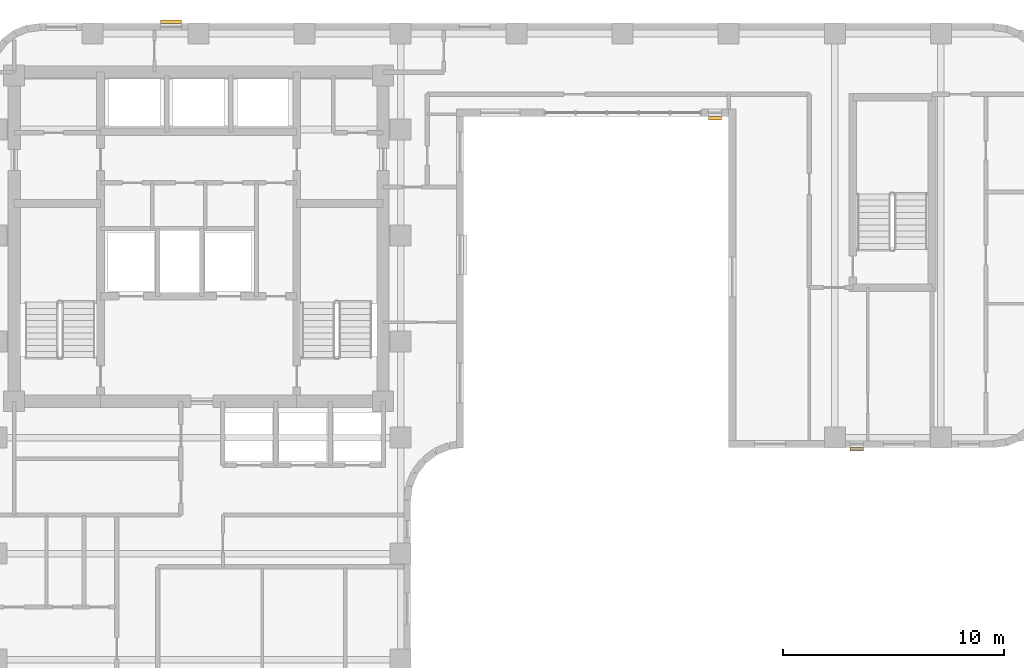
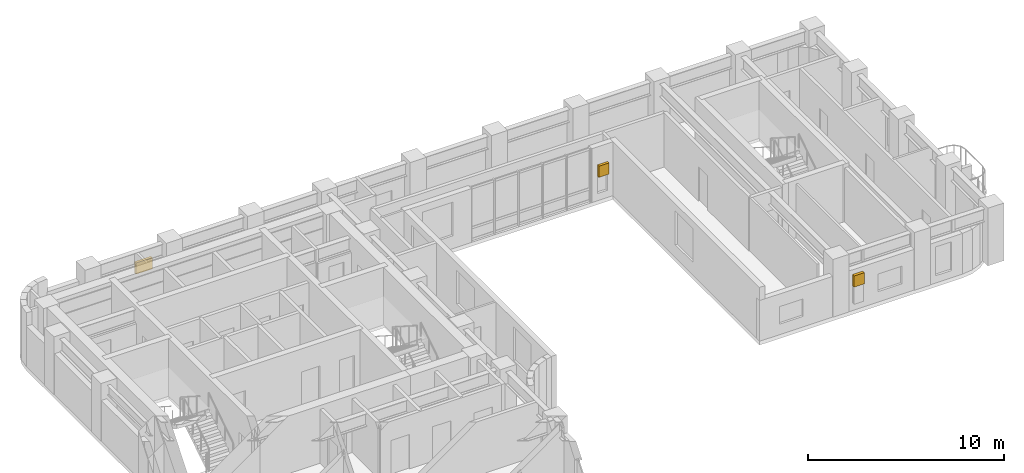
# One storey, part 11 of 11: 3 shading devices.
"""IFC4 building model written with IfcOpenShell, lengths in metres."""

from ifc_helpers import new_model, si_unit, direction, frame, origin, origin_2d, place, context, subcontext, project, spatial, rectangle, extrude, material, type_object, element, save


model = new_model("IFC4")

# Units and contexts
model_context = context("Model", 3, precision=1e-05, world=origin(), true_north=direction((0.0, 1.0)))
body_context = subcontext(model_context, "Body", "Model", "MODEL_VIEW")
ifc_project = project(units=[si_unit("LENGTHUNIT", "METRE"), si_unit("AREAUNIT", "SQUARE_METRE"), si_unit("VOLUMEUNIT", "CUBIC_METRE"), si_unit("PLANEANGLEUNIT", "RADIAN"), si_unit("MASSUNIT", "GRAM", prefix="KILO")], contexts=[model_context])

# Site, building, storey
site_placement = place(None, origin())
site = spatial("IfcSite", under=ifc_project, at=site_placement, CompositionType="ELEMENT")
building_placement = place(site_placement, origin())
building = spatial("IfcBuilding", under=site, at=building_placement, Name="Orvandelia Arch Residences", CompositionType="ELEMENT")
storey_placement = place(building_placement, frame((0.0, 0.0, 175.60009765625)))
storey = spatial("IfcBuildingStorey", under=building, at=storey_placement, Name="L46", CompositionType="ELEMENT", Elevation=175.60009765625)

# Shading devices
ifc_material = material(Name="Anodised Champagne-Bronze Extruded Aluminium", Category="aluminium")
shading_device_type = type_object("IfcShadingDeviceType", Name="SHD-JALOUSIE-SCREEN", PredefinedType="JALOUSIE", material=ifc_material)
shading_device_placement = place(storey_placement, frame((13.152587890625, 48.080078125, 1.5498046875), z_axis=(0.0, 0.0, 1.0), x_axis=(1.0, 0.0, 0.0)))
element("IfcShadingDevice", 1, at=shading_device_placement, inside=storey, type_object=shading_device_type, Name="Bronze Jalousie Sun-Shade L46-001", PredefinedType="JALOUSIE", context=body_context, shape_type="SweptSolid", body=[
    extrude(rectangle(XDim=0.949951171875, YDim=0.159912109375, at=origin_2d()), origin(), (0.0, 0.0, 1.0), 0.699951171875),
])
for number, where, z_axis, x_axis, name in (
    (2, (44.197509765625, 28.719970703125, 1.5498046875), (0.0, 0.0, 1.0), (-1.0, 0.0, 0.0), "Bronze Jalousie Sun-Shade L46-003"),
    (3, (37.780029296875, 43.719970703125, 1.5498046875), (0.0, 0.0, 1.0), (-1.0, 0.0, 0.0), "Bronze Jalousie Sun-Shade L46-004"),
):
    element("IfcShadingDevice", number, at=place(storey_placement, frame(where, z_axis=z_axis, x_axis=x_axis)), inside=storey, type_object=shading_device_type, Name=name, PredefinedType="JALOUSIE", context=body_context, shape_type="SweptSolid", body=[
        extrude(rectangle(XDim=0.60009765625, YDim=0.159912109375, at=origin_2d()), origin(), (0.0, 0.0, 1.0), 0.699951171875),
    ])

save(model, "model.ifc")
